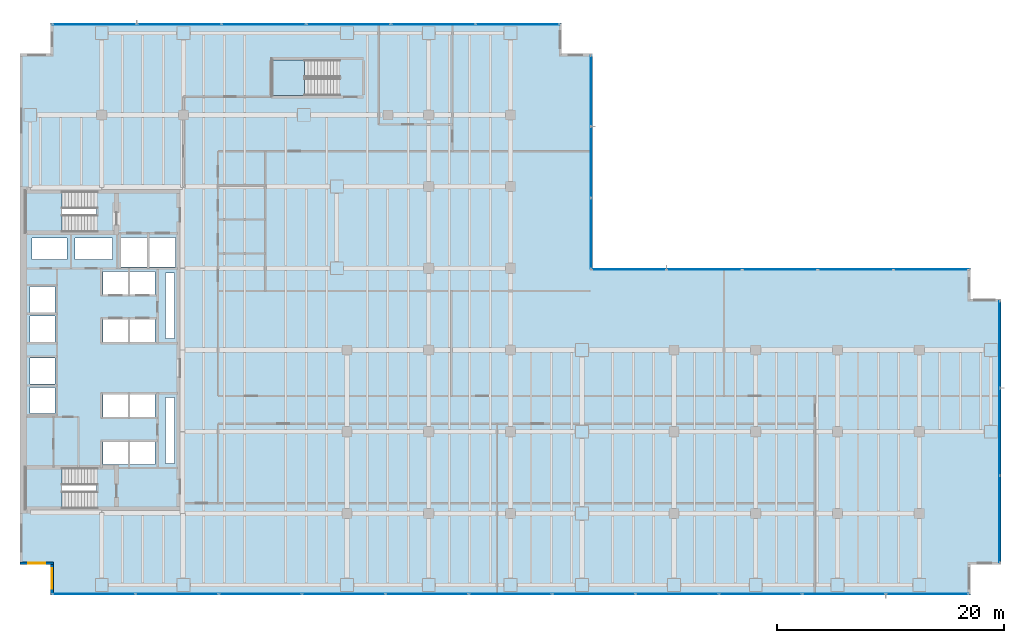
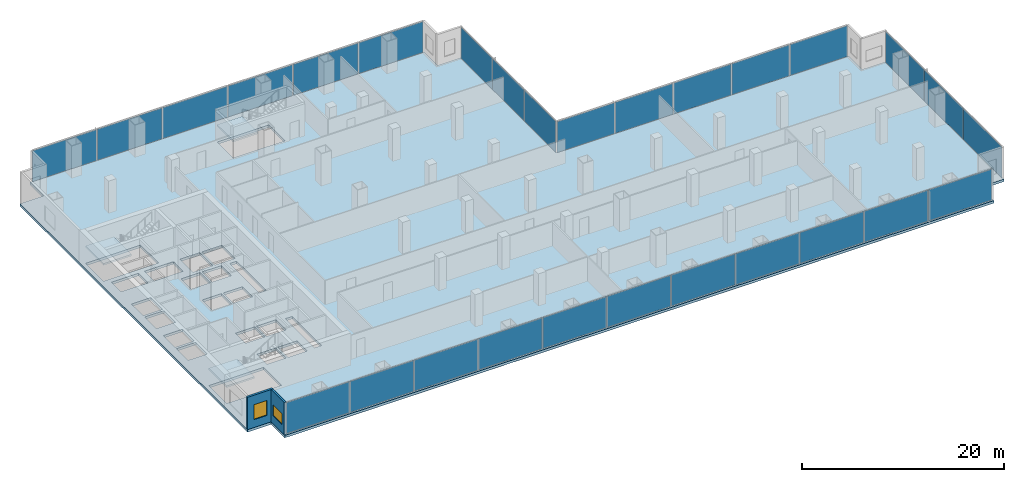
# One storey, part 21 of 31: 28 plates, 4 slabs, 2 walls, 2 windows, 23 openings, 8 elements without a shape of their own.
"""IFC4 building model written with IfcOpenShell, lengths in metres."""

from ifc_helpers import new_model, si_unit, direction, frame, frame_2d, origin, origin_2d, place, context, subcontext, project, spatial, polyline, rectangle, outline, extrude, material, layer, layer_set, type_object, element, fill, aggregate, save


model = new_model("IFC4")

# Units and contexts
model_context = context("Model", 3, precision=1e-05, world=origin(), true_north=direction((0.0, 1.0)))
body_context = subcontext(model_context, "Body", "Model", "MODEL_VIEW")
ifc_project = project(units=[si_unit("LENGTHUNIT", "METRE"), si_unit("AREAUNIT", "SQUARE_METRE"), si_unit("VOLUMEUNIT", "CUBIC_METRE"), si_unit("PLANEANGLEUNIT", "RADIAN"), si_unit("MASSUNIT", "GRAM", prefix="KILO")], contexts=[model_context])

# Site, building, storey
site_placement = place(None, origin())
site = spatial("IfcSite", under=ifc_project, at=site_placement, CompositionType="ELEMENT")
building_placement = place(site_placement, origin())
building = spatial("IfcBuilding", under=site, at=building_placement, Name="Cobrela Telecom Tower", CompositionType="ELEMENT")
storey_placement = place(building_placement, frame((0.0, 0.0, 9.449951171875)))
storey = spatial("IfcBuildingStorey", under=building, at=storey_placement, Name="L02", CompositionType="ELEMENT", Elevation=9.449951171875)

# Curtain wall, plates
ifc_material_1 = material(Name="Anodized Bronze Aluminium 6063-T6", Category="aluminium")
curtain_wall_type = type_object("IfcCurtainWallType", Name="CW-SYS-CONC", PredefinedType="USERDEFINED", material=ifc_material_1)
curtain_wall_1_placement = place(storey_placement, origin())
curtain_wall_1 = element("IfcCurtainWall", 1, at=curtain_wall_1_placement, inside=storey, type_object=curtain_wall_type, Name="L02 Unitised Bronze Curtain Wall 07", ObjectType="UNITISED CURTAIN WALL", PredefinedType="USERDEFINED")
ifc_material_2 = material(Name="Solar-Control Bronze Low-E Glass", Category="glass")
ifc_layer_1 = layer(ifc_material_2, 0.0419921875)
ifc_layer_set_1 = layer_set([ifc_layer_1], Name="Solar-Control Bronze Low-E Glass")
plate_type = type_object("IfcPlateType", Name="CW-SYS-CONC-PNL", PredefinedType="CURTAIN_PANEL", material=ifc_layer_set_1)
plate_1_placement = place(storey_placement, frame((6.570068359375, 50.280029296875, 0.080078125), z_axis=(0.0, 0.0, 1.0), x_axis=(1.0, 0.0, 0.0)))
plate_1 = element("IfcPlate", 2, at=plate_1_placement, type_object=plate_type, Name="CW-CONC panel 1.1", PredefinedType="CURTAIN_PANEL", context=body_context, shape_type="SweptSolid", body=[
    extrude(rectangle(XDim=7.340087890625, YDim=0.0419921875, at=origin_2d()), origin(), (0.0, 0.0, 1.0), 3.739990234375),
])
plate_2_placement = place(storey_placement, frame((14.010009765625, 50.280029296875, 0.080078125), z_axis=(0.0, 0.0, 1.0), x_axis=(1.0, 0.0, 0.0)))
plate_2 = element("IfcPlate", 3, at=plate_2_placement, type_object=plate_type, Name="CW-CONC panel 2.1", PredefinedType="CURTAIN_PANEL", context=body_context, shape_type="SweptSolid", body=[
    extrude(rectangle(XDim=7.3798828125, YDim=0.0419921875, at=origin_2d()), origin(), (0.0, 0.0, 1.0), 3.739990234375),
])
plate_3_placement = place(storey_placement, frame((21.469970703125, 50.280029296875, 0.080078125), z_axis=(0.0, 0.0, 1.0), x_axis=(1.0, 0.0, 0.0)))
plate_3 = element("IfcPlate", 4, at=plate_3_placement, type_object=plate_type, Name="CW-CONC panel 3.1", PredefinedType="CURTAIN_PANEL", context=body_context, shape_type="SweptSolid", body=[
    extrude(rectangle(XDim=7.3798828125, YDim=0.0419921875, at=origin_2d()), origin(), (0.0, 0.0, 1.0), 3.739990234375),
])
plate_4_placement = place(storey_placement, frame((28.929931640625, 50.280029296875, 0.080078125), z_axis=(0.0, 0.0, 1.0), x_axis=(1.0, 0.0, 0.0)))
plate_4 = element("IfcPlate", 5, at=plate_4_placement, type_object=plate_type, Name="CW-CONC panel 4.1", PredefinedType="CURTAIN_PANEL", context=body_context, shape_type="SweptSolid", body=[
    extrude(rectangle(XDim=7.3798828125, YDim=0.0419921875, at=origin_2d()), origin(), (0.0, 0.0, 1.0), 3.739990234375),
])
plate_5_placement = place(storey_placement, frame((36.389892578125, 50.280029296875, 0.080078125), z_axis=(0.0, 0.0, 1.0), x_axis=(1.0, 0.0, 0.0)))
plate_5 = element("IfcPlate", 6, at=plate_5_placement, type_object=plate_type, Name="CW-CONC panel 5.1", PredefinedType="CURTAIN_PANEL", context=body_context, shape_type="SweptSolid", body=[
    extrude(rectangle(XDim=7.3798828125, YDim=0.0419921875, at=origin_2d()), origin(), (0.0, 0.0, 1.0), 3.739990234375),
])
plate_6_placement = place(storey_placement, frame((43.830078125, 50.280029296875, 0.080078125), z_axis=(0.0, 0.0, 1.0), x_axis=(1.0, 0.0, 0.0)))
plate_6 = element("IfcPlate", 7, at=plate_6_placement, type_object=plate_type, Name="CW-CONC panel 6.1", PredefinedType="CURTAIN_PANEL", context=body_context, shape_type="SweptSolid", body=[
    extrude(rectangle(XDim=7.340087890625, YDim=0.0419921875, at=origin_2d()), origin(), (0.0, 0.0, 1.0), 3.739990234375),
])
aggregate(curtain_wall_1, [plate_1, plate_2, plate_3, plate_4, plate_5, plate_6])

curtain_wall_2_placement = place(storey_placement, origin())
curtain_wall_2 = element("IfcCurtainWall", 8, at=curtain_wall_2_placement, inside=storey, type_object=curtain_wall_type, Name="L02 Unitised Bronze Curtain Wall 10", ObjectType="UNITISED CURTAIN WALL", PredefinedType="USERDEFINED")
plate_7_placement = place(storey_placement, frame((50.280029296875, 44.409912109375, 0.080078125), z_axis=(0.0, 0.0, 1.0), x_axis=(0.0, -1.0, 0.0)))
plate_7 = element("IfcPlate", 9, at=plate_7_placement, type_object=plate_type, Name="CW-CONC panel 1.1", PredefinedType="CURTAIN_PANEL", context=body_context, shape_type="SweptSolid", body=[
    extrude(rectangle(XDim=6.179931640625, YDim=0.0419921875, at=origin_2d()), origin(), (0.0, 0.0, 1.0), 3.739990234375),
])
plate_8_placement = place(storey_placement, frame((50.280029296875, 38.1298828125, 0.080078125), z_axis=(0.0, 0.0, 1.0), x_axis=(0.0, -1.0, 0.0)))
plate_8 = element("IfcPlate", 10, at=plate_8_placement, type_object=plate_type, Name="CW-CONC panel 2.1", PredefinedType="CURTAIN_PANEL", context=body_context, shape_type="SweptSolid", body=[
    extrude(rectangle(XDim=6.219970703125, YDim=0.0419921875, at=origin_2d()), origin(), (0.0, 0.0, 1.0), 3.739990234375),
])
plate_9_placement = place(storey_placement, frame((50.280029296875, 31.85009765625, 0.080078125), z_axis=(0.0, 0.0, 1.0), x_axis=(0.0, -1.0, 0.0)))
plate_9 = element("IfcPlate", 11, at=plate_9_placement, type_object=plate_type, Name="CW-CONC panel 3.1", PredefinedType="CURTAIN_PANEL", context=body_context, shape_type="SweptSolid", body=[
    extrude(rectangle(XDim=6.179931640625, YDim=0.0419921875, at=origin_2d()), origin(), (0.0, 0.0, 1.0), 3.739990234375),
])
aggregate(curtain_wall_2, [plate_7, plate_8, plate_9])

curtain_wall_3_placement = place(storey_placement, origin())
curtain_wall_3 = element("IfcCurtainWall", 12, at=curtain_wall_3_placement, inside=storey, type_object=curtain_wall_type, Name="L02 Unitised Bronze Curtain Wall 11", ObjectType="UNITISED CURTAIN WALL", PredefinedType="USERDEFINED")
plate_10_placement = place(storey_placement, frame((53.6298828125, 28.679931640625, 0.080078125), z_axis=(0.0, 0.0, 1.0), x_axis=(1.0, 0.0, 0.0)))
plate_10 = element("IfcPlate", 13, at=plate_10_placement, type_object=plate_type, Name="CW-CONC panel 1.1", PredefinedType="CURTAIN_PANEL", context=body_context, shape_type="SweptSolid", body=[
    extrude(rectangle(XDim=6.5400390625, YDim=0.0419921875, at=origin_2d()), origin(), (0.0, 0.0, 1.0), 3.739990234375),
])
plate_11_placement = place(storey_placement, frame((60.27001953125, 28.679931640625, 0.080078125), z_axis=(0.0, 0.0, 1.0), x_axis=(1.0, 0.0, 0.0)))
plate_11 = element("IfcPlate", 14, at=plate_11_placement, type_object=plate_type, Name="CW-CONC panel 2.1", PredefinedType="CURTAIN_PANEL", context=body_context, shape_type="SweptSolid", body=[
    extrude(rectangle(XDim=6.580078125, YDim=0.0419921875, at=origin_2d()), origin(), (0.0, 0.0, 1.0), 3.739990234375),
])
plate_12_placement = place(storey_placement, frame((66.929931640625, 28.679931640625, 0.080078125), z_axis=(0.0, 0.0, 1.0), x_axis=(1.0, 0.0, 0.0)))
plate_12 = element("IfcPlate", 15, at=plate_12_placement, type_object=plate_type, Name="CW-CONC panel 3.1", PredefinedType="CURTAIN_PANEL", context=body_context, shape_type="SweptSolid", body=[
    extrude(rectangle(XDim=6.580078125, YDim=0.0419921875, at=origin_2d()), origin(), (0.0, 0.0, 1.0), 3.739990234375),
])
plate_13_placement = place(storey_placement, frame((73.590087890625, 28.679931640625, 0.080078125), z_axis=(0.0, 0.0, 1.0), x_axis=(1.0, 0.0, 0.0)))
plate_13 = element("IfcPlate", 16, at=plate_13_placement, type_object=plate_type, Name="CW-CONC panel 4.1", PredefinedType="CURTAIN_PANEL", context=body_context, shape_type="SweptSolid", body=[
    extrude(rectangle(XDim=6.580078125, YDim=0.0419921875, at=origin_2d()), origin(), (0.0, 0.0, 1.0), 3.739990234375),
])
plate_14_placement = place(storey_placement, frame((80.22998046875, 28.679931640625, 0.080078125), z_axis=(0.0, 0.0, 1.0), x_axis=(1.0, 0.0, 0.0)))
plate_14 = element("IfcPlate", 17, at=plate_14_placement, type_object=plate_type, Name="CW-CONC panel 5.1", PredefinedType="CURTAIN_PANEL", context=body_context, shape_type="SweptSolid", body=[
    extrude(rectangle(XDim=6.5400390625, YDim=0.0419921875, at=origin_2d()), origin(), (0.0, 0.0, 1.0), 3.739990234375),
])
aggregate(curtain_wall_3, [plate_10, plate_11, plate_12, plate_13, plate_14])

curtain_wall_4_placement = place(storey_placement, origin())
curtain_wall_4 = element("IfcCurtainWall", 18, at=curtain_wall_4_placement, inside=storey, type_object=curtain_wall_type, Name="L02 Unitised Bronze Curtain Wall 14", ObjectType="UNITISED CURTAIN WALL", PredefinedType="USERDEFINED")
plate_15_placement = place(storey_placement, frame((86.280029296875, 22.10009765625, 0.080078125), z_axis=(0.0, 0.0, 1.0), x_axis=(0.0, -1.0, 0.0)))
plate_15 = element("IfcPlate", 19, at=plate_15_placement, type_object=plate_type, Name="CW-CONC panel 1.1", PredefinedType="CURTAIN_PANEL", context=body_context, shape_type="SweptSolid", body=[
    extrude(rectangle(XDim=7.60009765625, YDim=0.0419921875, at=origin_2d()), origin(), (0.0, 0.0, 1.0), 3.739990234375),
])
plate_16_placement = place(storey_placement, frame((86.280029296875, 14.39990234375, 0.080078125), z_axis=(0.0, 0.0, 1.0), x_axis=(0.0, -1.0, 0.0)))
plate_16 = element("IfcPlate", 20, at=plate_16_placement, type_object=plate_type, Name="CW-CONC panel 2.1", PredefinedType="CURTAIN_PANEL", context=body_context, shape_type="SweptSolid", body=[
    extrude(rectangle(XDim=7.639892578125, YDim=0.0419921875, at=origin_2d()), origin(), (0.0, 0.0, 1.0), 3.739990234375),
])
plate_17_placement = place(storey_placement, frame((86.280029296875, 6.699951171875, 0.080078125), z_axis=(0.0, 0.0, 1.0), x_axis=(0.0, -1.0, 0.0)))
plate_17 = element("IfcPlate", 21, at=plate_17_placement, type_object=plate_type, Name="CW-CONC panel 3.1", PredefinedType="CURTAIN_PANEL", context=body_context, shape_type="SweptSolid", body=[
    extrude(rectangle(XDim=7.60009765625, YDim=0.0419921875, at=origin_2d()), origin(), (0.0, 0.0, 1.0), 3.739990234375),
])
aggregate(curtain_wall_4, [plate_15, plate_16, plate_17])

curtain_wall_5_placement = place(storey_placement, origin())
curtain_wall_5 = element("IfcCurtainWall", 22, at=curtain_wall_5_placement, inside=storey, type_object=curtain_wall_type, Name="L02 Unitised Bronze Curtain Wall 17", ObjectType="UNITISED CURTAIN WALL", PredefinedType="USERDEFINED")
plate_18_placement = place(storey_placement, frame((79.88916015625, 0.1201171875, 0.080078125), z_axis=(0.0, 0.0, 1.0), x_axis=(-1.0, 0.0, 0.0)))
plate_18 = element("IfcPlate", 23, at=plate_18_placement, type_object=plate_type, Name="CW-CONC panel 1.1", PredefinedType="CURTAIN_PANEL", context=body_context, shape_type="SweptSolid", body=[
    extrude(rectangle(XDim=7.221923828125, YDim=0.0419921875, at=origin_2d()), origin(), (0.0, 0.0, 1.0), 3.739990234375),
])
plate_19_placement = place(storey_placement, frame((72.5673828125, 0.1201171875, 0.080078125), z_axis=(0.0, 0.0, 1.0), x_axis=(-1.0, 0.0, 0.0)))
plate_19 = element("IfcPlate", 24, at=plate_19_placement, type_object=plate_type, Name="CW-CONC panel 2.1", PredefinedType="CURTAIN_PANEL", context=body_context, shape_type="SweptSolid", body=[
    extrude(rectangle(XDim=7.26171875, YDim=0.0419921875, at=origin_2d()), origin(), (0.0, 0.0, 1.0), 3.739990234375),
])
plate_20_placement = place(storey_placement, frame((65.225341796875, 0.1201171875, 0.080078125), z_axis=(0.0, 0.0, 1.0), x_axis=(-1.0, 0.0, 0.0)))
plate_20 = element("IfcPlate", 25, at=plate_20_placement, type_object=plate_type, Name="CW-CONC panel 3.1", PredefinedType="CURTAIN_PANEL", context=body_context, shape_type="SweptSolid", body=[
    extrude(rectangle(XDim=7.26171875, YDim=0.0419921875, at=origin_2d()), origin(), (0.0, 0.0, 1.0), 3.739990234375),
])
plate_21_placement = place(storey_placement, frame((57.883544921875, 0.1201171875, 0.080078125), z_axis=(0.0, 0.0, 1.0), x_axis=(-1.0, 0.0, 0.0)))
plate_21 = element("IfcPlate", 26, at=plate_21_placement, type_object=plate_type, Name="CW-CONC panel 4.1", PredefinedType="CURTAIN_PANEL", context=body_context, shape_type="SweptSolid", body=[
    extrude(rectangle(XDim=7.26171875, YDim=0.0419921875, at=origin_2d()), origin(), (0.0, 0.0, 1.0), 3.739990234375),
])
plate_22_placement = place(storey_placement, frame((50.541748046875, 0.1201171875, 0.080078125), z_axis=(0.0, 0.0, 1.0), x_axis=(-1.0, 0.0, 0.0)))
plate_22 = element("IfcPlate", 27, at=plate_22_placement, type_object=plate_type, Name="CW-CONC panel 5.1", PredefinedType="CURTAIN_PANEL", context=body_context, shape_type="SweptSolid", body=[
    extrude(rectangle(XDim=7.26171875, YDim=0.0419921875, at=origin_2d()), origin(), (0.0, 0.0, 1.0), 3.739990234375),
])
plate_23_placement = place(storey_placement, frame((43.199951171875, 0.1201171875, 0.080078125), z_axis=(0.0, 0.0, 1.0), x_axis=(-1.0, 0.0, 0.0)))
plate_23 = element("IfcPlate", 28, at=plate_23_placement, type_object=plate_type, Name="CW-CONC panel 6.1", PredefinedType="CURTAIN_PANEL", context=body_context, shape_type="SweptSolid", body=[
    extrude(rectangle(XDim=7.26171875, YDim=0.0419921875, at=origin_2d()), origin(), (0.0, 0.0, 1.0), 3.739990234375),
])
plate_24_placement = place(storey_placement, frame((35.858154296875, 0.1201171875, 0.080078125), z_axis=(0.0, 0.0, 1.0), x_axis=(-1.0, 0.0, 0.0)))
plate_24 = element("IfcPlate", 29, at=plate_24_placement, type_object=plate_type, Name="CW-CONC panel 7.1", PredefinedType="CURTAIN_PANEL", context=body_context, shape_type="SweptSolid", body=[
    extrude(rectangle(XDim=7.26171875, YDim=0.0419921875, at=origin_2d()), origin(), (0.0, 0.0, 1.0), 3.739990234375),
])
plate_25_placement = place(storey_placement, frame((28.516357421875, 0.1201171875, 0.080078125), z_axis=(0.0, 0.0, 1.0), x_axis=(-1.0, 0.0, 0.0)))
plate_25 = element("IfcPlate", 30, at=plate_25_placement, type_object=plate_type, Name="CW-CONC panel 8.1", PredefinedType="CURTAIN_PANEL", context=body_context, shape_type="SweptSolid", body=[
    extrude(rectangle(XDim=7.26171875, YDim=0.0419921875, at=origin_2d()), origin(), (0.0, 0.0, 1.0), 3.739990234375),
])
plate_26_placement = place(storey_placement, frame((21.174560546875, 0.1201171875, 0.080078125), z_axis=(0.0, 0.0, 1.0), x_axis=(-1.0, 0.0, 0.0)))
plate_26 = element("IfcPlate", 31, at=plate_26_placement, type_object=plate_type, Name="CW-CONC panel 9.1", PredefinedType="CURTAIN_PANEL", context=body_context, shape_type="SweptSolid", body=[
    extrude(rectangle(XDim=7.26171875, YDim=0.0419921875, at=origin_2d()), origin(), (0.0, 0.0, 1.0), 3.739990234375),
])
plate_27_placement = place(storey_placement, frame((13.832763671875, 0.1201171875, 0.080078125), z_axis=(0.0, 0.0, 1.0), x_axis=(-1.0, 0.0, 0.0)))
plate_27 = element("IfcPlate", 32, at=plate_27_placement, type_object=plate_type, Name="CW-CONC panel 10.1", PredefinedType="CURTAIN_PANEL", context=body_context, shape_type="SweptSolid", body=[
    extrude(rectangle(XDim=7.26171875, YDim=0.0419921875, at=origin_2d()), origin(), (0.0, 0.0, 1.0), 3.739990234375),
])
plate_28_placement = place(storey_placement, frame((6.510986328125, 0.1201171875, 0.080078125), z_axis=(0.0, 0.0, 1.0), x_axis=(-1.0, 0.0, 0.0)))
plate_28 = element("IfcPlate", 33, at=plate_28_placement, type_object=plate_type, Name="CW-CONC panel 11.1", PredefinedType="CURTAIN_PANEL", context=body_context, shape_type="SweptSolid", body=[
    extrude(rectangle(XDim=7.221923828125, YDim=0.0419921875, at=origin_2d()), origin(), (0.0, 0.0, 1.0), 3.739990234375),
])
aggregate(curtain_wall_5, [plate_18, plate_19, plate_20, plate_21, plate_22, plate_23, plate_24, plate_25, plate_26, plate_27, plate_28])

# Slab, openings
ifc_material_3 = material(Name="Concrete C40/50", Category="concrete")
ifc_layer_2 = layer(ifc_material_3, 0.300048828125)
ifc_layer_set_2 = layer_set([ifc_layer_2], Name="Concrete C40/50")
slab_type_1 = type_object("IfcSlabType", Name="SLAB-FLR-300", PredefinedType="FLOOR", material=ifc_layer_set_2)
slab_1_placement = place(storey_placement, frame((0.0, 0.0, -0.300048828125)))
slab_1 = element("IfcSlab", 34, at=slab_1_placement, inside=storey, type_object=slab_type_1, Name="L02 Structural Floor Slab", PredefinedType="FLOOR", context=body_context, shape_type="SweptSolid", body=[
    extrude(outline(polyline([(2.699951171875, 0.0), (83.699951171875, 0.0), (83.699951171875, 2.699951171875), (86.39990234375, 2.699951171875), (86.39990234375, 26.10009765625), (83.699951171875, 26.10009765625), (83.699951171875, 28.800048828125), (50.39990234375, 28.800048828125), (50.39990234375, 47.699951171875), (47.699951171875, 47.699951171875), (47.699951171875, 50.39990234375), (2.699951171875, 50.39990234375), (2.699951171875, 47.699951171875), (0.0, 47.699951171875), (0.0, 2.699951171875), (2.699951171875, 2.699951171875), (2.699951171875, 0.0)])), origin(), (0.0, 0.0, 1.0), 0.300048828125),
])
opening_1_placement = place(slab_1_placement, frame((0.0, 0.0, -0.02001953125)))
element("IfcOpeningElement", 35, at=opening_1_placement, cuts=slab_1, Name="Slab Shaft Opening SLAB-L02-MAIN.1", PredefinedType="OPENING", context=body_context, shape_type="SweptSolid", body=[
    extrude(outline(polyline([(8.89990234375, 28.89990234375), (11.199951171875, 28.89990234375), (11.199951171875, 31.5), (8.89990234375, 31.5), (8.89990234375, 28.89990234375)])), origin(), (0.0, 0.0, 1.0), 0.340087890625),
])
opening_2_placement = place(slab_1_placement, frame((0.0, 0.0, -0.02001953125)))
element("IfcOpeningElement", 36, at=opening_2_placement, cuts=slab_1, Name="Slab Shaft Opening SLAB-L02-MAIN.2", PredefinedType="OPENING", context=body_context, shape_type="SweptSolid", body=[
    extrude(outline(polyline([(11.39990234375, 28.89990234375), (13.699951171875, 28.89990234375), (13.699951171875, 31.5), (11.39990234375, 31.5), (11.39990234375, 28.89990234375)])), origin(), (0.0, 0.0, 1.0), 0.340087890625),
])
opening_3_placement = place(slab_1_placement, frame((0.0, 0.0, -0.02001953125)))
element("IfcOpeningElement", 37, at=opening_3_placement, cuts=slab_1, Name="Slab Shaft Opening SLAB-L02-MAIN.3", PredefinedType="OPENING", context=body_context, shape_type="SweptSolid", body=[
    extrude(outline(polyline([(7.300048828125, 22.300048828125), (9.5, 22.300048828125), (9.5, 24.300048828125), (7.300048828125, 24.300048828125), (7.300048828125, 22.300048828125)])), origin(), (0.0, 0.0, 1.0), 0.340087890625),
])
opening_4_placement = place(slab_1_placement, frame((0.0, 0.0, -0.02001953125)))
element("IfcOpeningElement", 38, at=opening_4_placement, cuts=slab_1, Name="Slab Shaft Opening SLAB-L02-MAIN.4", PredefinedType="OPENING", context=body_context, shape_type="SweptSolid", body=[
    extrude(outline(polyline([(9.699951171875, 22.300048828125), (11.89990234375, 22.300048828125), (11.89990234375, 24.300048828125), (9.699951171875, 24.300048828125), (9.699951171875, 22.300048828125)])), origin(), (0.0, 0.0, 1.0), 0.340087890625),
])
opening_5_placement = place(slab_1_placement, frame((0.0, 0.0, -0.02001953125)))
element("IfcOpeningElement", 39, at=opening_5_placement, cuts=slab_1, Name="Slab Shaft Opening SLAB-L02-MAIN.5", PredefinedType="OPENING", context=body_context, shape_type="SweptSolid", body=[
    extrude(outline(polyline([(7.300048828125, 26.5), (9.5, 26.5), (9.5, 28.5), (7.300048828125, 28.5), (7.300048828125, 26.5)])), origin(), (0.0, 0.0, 1.0), 0.340087890625),
])
opening_6_placement = place(slab_1_placement, frame((0.0, 0.0, -0.02001953125)))
element("IfcOpeningElement", 40, at=opening_6_placement, cuts=slab_1, Name="Slab Shaft Opening SLAB-L02-MAIN.6", PredefinedType="OPENING", context=body_context, shape_type="SweptSolid", body=[
    extrude(outline(polyline([(9.699951171875, 26.5), (11.89990234375, 26.5), (11.89990234375, 28.5), (9.699951171875, 28.5), (9.699951171875, 26.5)])), origin(), (0.0, 0.0, 1.0), 0.340087890625),
])
opening_7_placement = place(slab_1_placement, frame((0.0, 0.0, -0.02001953125)))
element("IfcOpeningElement", 41, at=opening_7_placement, cuts=slab_1, Name="Slab Shaft Opening SLAB-L02-MAIN.7", PredefinedType="OPENING", context=body_context, shape_type="SweptSolid", body=[
    extrude(outline(polyline([(7.300048828125, 15.699951171875), (9.5, 15.699951171875), (9.5, 17.699951171875), (7.300048828125, 17.699951171875), (7.300048828125, 15.699951171875)])), origin(), (0.0, 0.0, 1.0), 0.340087890625),
])
opening_8_placement = place(slab_1_placement, frame((0.0, 0.0, -0.02001953125)))
element("IfcOpeningElement", 42, at=opening_8_placement, cuts=slab_1, Name="Slab Shaft Opening SLAB-L02-MAIN.8", PredefinedType="OPENING", context=body_context, shape_type="SweptSolid", body=[
    extrude(outline(polyline([(9.699951171875, 15.699951171875), (11.89990234375, 15.699951171875), (11.89990234375, 17.699951171875), (9.699951171875, 17.699951171875), (9.699951171875, 15.699951171875)])), origin(), (0.0, 0.0, 1.0), 0.340087890625),
])
opening_9_placement = place(slab_1_placement, frame((0.0, 0.0, -0.02001953125)))
element("IfcOpeningElement", 43, at=opening_9_placement, cuts=slab_1, Name="Slab Shaft Opening SLAB-L02-MAIN.9", PredefinedType="OPENING", context=body_context, shape_type="SweptSolid", body=[
    extrude(outline(polyline([(7.300048828125, 11.5), (9.5, 11.5), (9.5, 13.5), (7.300048828125, 13.5), (7.300048828125, 11.5)])), origin(), (0.0, 0.0, 1.0), 0.340087890625),
])
opening_10_placement = place(slab_1_placement, frame((0.0, 0.0, -0.02001953125)))
element("IfcOpeningElement", 44, at=opening_10_placement, cuts=slab_1, Name="Slab Shaft Opening SLAB-L02-MAIN.10", PredefinedType="OPENING", context=body_context, shape_type="SweptSolid", body=[
    extrude(outline(polyline([(9.699951171875, 11.5), (11.89990234375, 11.5), (11.89990234375, 13.5), (9.699951171875, 13.5), (9.699951171875, 11.5)])), origin(), (0.0, 0.0, 1.0), 0.340087890625),
])
opening_11_placement = place(slab_1_placement, frame((0.0, 0.0, -0.02001953125)))
element("IfcOpeningElement", 45, at=opening_11_placement, cuts=slab_1, Name="Slab Shaft Opening SLAB-L02-MAIN.11", PredefinedType="OPENING", context=body_context, shape_type="SweptSolid", body=[
    extrude(outline(polyline([(0.89990234375, 16.0), (3.10009765625, 16.0), (3.10009765625, 18.300048828125), (0.89990234375, 18.300048828125), (0.89990234375, 16.0)])), origin(), (0.0, 0.0, 1.0), 0.340087890625),
])
opening_12_placement = place(slab_1_placement, frame((0.0, 0.0, -0.02001953125)))
element("IfcOpeningElement", 46, at=opening_12_placement, cuts=slab_1, Name="Slab Shaft Opening SLAB-L02-MAIN.12", PredefinedType="OPENING", context=body_context, shape_type="SweptSolid", body=[
    extrude(outline(polyline([(0.89990234375, 18.60009765625), (3.10009765625, 18.60009765625), (3.10009765625, 20.89990234375), (0.89990234375, 20.89990234375), (0.89990234375, 18.60009765625)])), origin(), (0.0, 0.0, 1.0), 0.340087890625),
])
opening_13_placement = place(slab_1_placement, frame((0.0, 0.0, -0.02001953125)))
element("IfcOpeningElement", 47, at=opening_13_placement, cuts=slab_1, Name="Slab Shaft Opening SLAB-L02-MAIN.13", PredefinedType="OPENING", context=body_context, shape_type="SweptSolid", body=[
    extrude(outline(polyline([(0.89990234375, 22.300048828125), (3.10009765625, 22.300048828125), (3.10009765625, 24.60009765625), (0.89990234375, 24.60009765625), (0.89990234375, 22.300048828125)])), origin(), (0.0, 0.0, 1.0), 0.340087890625),
])
opening_14_placement = place(slab_1_placement, frame((0.0, 0.0, -0.02001953125)))
element("IfcOpeningElement", 48, at=opening_14_placement, cuts=slab_1, Name="Slab Shaft Opening SLAB-L02-MAIN.14", PredefinedType="OPENING", context=body_context, shape_type="SweptSolid", body=[
    extrude(outline(polyline([(0.89990234375, 24.89990234375), (3.10009765625, 24.89990234375), (3.10009765625, 27.199951171875), (0.89990234375, 27.199951171875), (0.89990234375, 24.89990234375)])), origin(), (0.0, 0.0, 1.0), 0.340087890625),
])
opening_15_placement = place(slab_1_placement, frame((0.0, 0.0, -0.02001953125)))
element("IfcOpeningElement", 49, at=opening_15_placement, cuts=slab_1, Name="Slab Shaft Opening SLAB-L02-MAIN.15", PredefinedType="OPENING", context=body_context, shape_type="SweptSolid", body=[
    extrude(outline(polyline([(1.050048828125, 29.550048828125), (4.14990234375, 29.550048828125), (4.14990234375, 31.449951171875), (1.050048828125, 31.449951171875), (1.050048828125, 29.550048828125)])), origin(), (0.0, 0.0, 1.0), 0.340087890625),
])
opening_16_placement = place(slab_1_placement, frame((0.0, 0.0, -0.02001953125)))
element("IfcOpeningElement", 50, at=opening_16_placement, cuts=slab_1, Name="Slab Shaft Opening SLAB-L02-MAIN.16", PredefinedType="OPENING", context=body_context, shape_type="SweptSolid", body=[
    extrude(outline(polyline([(4.85009765625, 29.550048828125), (8.14990234375, 29.550048828125), (8.14990234375, 31.449951171875), (4.85009765625, 31.449951171875), (4.85009765625, 29.550048828125)])), origin(), (0.0, 0.0, 1.0), 0.340087890625),
])
opening_17_placement = place(slab_1_placement, frame((0.0, 0.0, -0.02001953125)))
element("IfcOpeningElement", 51, at=opening_17_placement, cuts=slab_1, Name="Slab Shaft Opening SLAB-L02-MAIN.17", PredefinedType="OPENING", context=body_context, shape_type="SweptSolid", body=[
    extrude(outline(polyline([(12.800048828125, 22.60009765625), (13.60009765625, 22.60009765625), (13.60009765625, 28.39990234375), (12.800048828125, 28.39990234375), (12.800048828125, 22.60009765625)])), origin(), (0.0, 0.0, 1.0), 0.340087890625),
])
opening_18_placement = place(slab_1_placement, frame((0.0, 0.0, -0.02001953125)))
element("IfcOpeningElement", 52, at=opening_18_placement, cuts=slab_1, Name="Slab Shaft Opening SLAB-L02-MAIN.18", PredefinedType="OPENING", context=body_context, shape_type="SweptSolid", body=[
    extrude(outline(polyline([(12.800048828125, 11.60009765625), (13.60009765625, 11.60009765625), (13.60009765625, 17.39990234375), (12.800048828125, 17.39990234375), (12.800048828125, 11.60009765625)])), origin(), (0.0, 0.0, 1.0), 0.340087890625),
])
opening_19_placement = place(slab_1_placement, frame((0.0, 0.0, -0.02001953125)))
element("IfcOpeningElement", 53, at=opening_19_placement, cuts=slab_1, Name="Slab Shaft Opening SLAB-L02-MAIN.19", PredefinedType="OPENING", context=body_context, shape_type="SweptSolid", body=[
    extrude(outline(polyline([(6.7548828125, 35.550048828125), (0.47998046875, 35.550048828125), (0.47998046875, 32.0), (6.7548828125, 32.0), (6.7548828125, 35.550048828125)])), origin(), (0.0, 0.0, 1.0), 0.340087890625),
])
opening_20_placement = place(slab_1_placement, frame((0.0, 0.0, -0.02001953125)))
element("IfcOpeningElement", 54, at=opening_20_placement, cuts=slab_1, Name="Slab Shaft Opening SLAB-L02-MAIN.20", PredefinedType="OPENING", context=body_context, shape_type="SweptSolid", body=[
    extrude(outline(polyline([(6.7548828125, 11.199951171875), (0.47998046875, 11.199951171875), (0.47998046875, 7.64990234375), (6.7548828125, 7.64990234375), (6.7548828125, 11.199951171875)])), origin(), (0.0, 0.0, 1.0), 0.340087890625),
])
opening_21_placement = place(slab_1_placement, frame((0.0, 0.0, -0.02001953125)))
element("IfcOpeningElement", 55, at=opening_21_placement, cuts=slab_1, Name="Slab Shaft Opening SLAB-L02-MAIN.21", PredefinedType="OPENING", context=body_context, shape_type="SweptSolid", body=[
    extrude(outline(polyline([(28.135009765625, 47.14990234375), (22.199951171875, 47.14990234375), (22.199951171875, 44.0), (28.135009765625, 44.0), (28.135009765625, 47.14990234375)])), origin(), (0.0, 0.0, 1.0), 0.340087890625),
])

# Stair, slab
stair_type = type_object("IfcStairType", Name="STAIR-CORE", PredefinedType="HALF_TURN_STAIR", material=ifc_material_3)
stair_1_placement = place(storey_placement, origin())
stair_1 = element("IfcStair", 56, at=stair_1_placement, inside=storey, type_object=stair_type, Name="L02 Smokeproof Exit Stair ST1", PredefinedType="HALF_TURN_STAIR")
ifc_layer_3 = layer(ifc_material_3, 0.199951171875)
ifc_layer_set_3 = layer_set([ifc_layer_3], Name="Concrete C40/50")
slab_type_2 = type_object("IfcSlabType", Name="SLAB-LAND-200", PredefinedType="LANDING", material=ifc_layer_set_3)
slab_2_placement = place(storey_placement, frame((0.0, 0.0, 1.900146484375)))
slab_2 = element("IfcSlab", 57, at=slab_2_placement, type_object=slab_type_2, Name="ST1 landing 1", PredefinedType="LANDING", context=body_context, shape_type="SweptSolid", body=[
    extrude(outline(polyline([(3.68505859375, 35.550048828125), (0.47998046875, 35.550048828125), (0.47998046875, 32.0), (3.68505859375, 32.0), (3.68505859375, 35.550048828125)])), origin(), (0.0, 0.0, 1.0), 0.199951171875),
])
aggregate(stair_1, [slab_2])

stair_2_placement = place(storey_placement, origin())
stair_2 = element("IfcStair", 58, at=stair_2_placement, inside=storey, type_object=stair_type, Name="L02 Smokeproof Exit Stair ST2", PredefinedType="HALF_TURN_STAIR")
slab_3_placement = place(storey_placement, frame((0.0, 0.0, 1.900146484375)))
slab_3 = element("IfcSlab", 59, at=slab_3_placement, type_object=slab_type_2, Name="ST2 landing 1", PredefinedType="LANDING", context=body_context, shape_type="SweptSolid", body=[
    extrude(outline(polyline([(3.68505859375, 11.199951171875), (0.47998046875, 11.199951171875), (0.47998046875, 7.64990234375), (3.68505859375, 7.64990234375), (3.68505859375, 11.199951171875)])), origin(), (0.0, 0.0, 1.0), 0.199951171875),
])
aggregate(stair_2, [slab_3])

stair_3_placement = place(storey_placement, origin())
stair_3 = element("IfcStair", 60, at=stair_3_placement, inside=storey, type_object=stair_type, Name="L02 Smokeproof Exit Stair ST3", PredefinedType="HALF_TURN_STAIR")
slab_4_placement = place(storey_placement, frame((0.0, 0.0, 1.900146484375)))
slab_4 = element("IfcSlab", 61, at=slab_4_placement, type_object=slab_type_2, Name="ST3 landing 1", PredefinedType="LANDING", context=body_context, shape_type="SweptSolid", body=[
    extrude(outline(polyline([(25.06494140625, 47.14990234375), (22.199951171875, 47.14990234375), (22.199951171875, 44.0), (25.06494140625, 44.0), (25.06494140625, 47.14990234375)])), origin(), (0.0, 0.0, 1.0), 0.199951171875),
])
aggregate(stair_3, [slab_4])

# Wall, opening, window
ifc_layer_4 = layer(ifc_material_3, 0.239990234375)
ifc_layer_set_4 = layer_set([ifc_layer_4], Name="Concrete C40/50")
wall_type = type_object("IfcWallType", Name="WALL-EXT-300", PredefinedType="STANDARD", material=ifc_layer_set_4)
wall_1_placement = place(storey_placement, frame((2.820068359375, 0.1201171875, 0.0), z_axis=(0.0, 0.0, 1.0), x_axis=(0.0, 1.0, 0.0)))
wall_1 = element("IfcWall", 62, at=wall_1_placement, inside=storey, type_object=wall_type, Name="L02 Insulated Facade Wall 01", PredefinedType="STANDARD", context=body_context, shape_type="SweptSolid", body=[
    extrude(rectangle(XDim=2.699951171875, YDim=0.239990234375, at=frame_2d((1.35009765625, 0.0))), origin(), (0.0, 0.0, 1.0), 3.900146484375),
])
opening_22_placement = place(wall_1_placement, frame((0.449951171875, 0.0, 0.949951171875)))
opening_22 = element("IfcOpeningElement", 63, at=opening_22_placement, cuts=wall_1, Name="Opening WN-27", PredefinedType="OPENING", context=body_context, shape_type="SweptSolid", body=[
    extrude(rectangle(XDim=1.800048828125, YDim=1.35009765625, at=frame_2d((0.89990234375, 0.675048828125))), frame((0.0, 0.1318359375, 0.0), z_axis=(0.0, -1.0, 0.0), x_axis=(1.0, 0.0, 0.0)), (0.0, 0.0, 1.0), 0.263916015625),
])
window_type_1 = type_object("IfcWindowType", Name="WIN-CLER-1800", PartitioningType="SINGLE_PANEL", PredefinedType="WINDOW", material=ifc_material_2)
window_1_placement = place(opening_22_placement, origin())
window_1 = element("IfcWindow", 64, at=window_1_placement, inside=storey, type_object=window_type_1, Name="L02 Corner Notch Facade Window 003", OverallHeight=1.35009765625, OverallWidth=1.800048828125, PartitioningType="SINGLE_PANEL", PredefinedType="WINDOW", context=body_context, shape_type="SweptSolid", body=[
    extrude(rectangle(XDim=1.800048828125, YDim=1.35009765625, at=frame_2d((0.89990234375, 0.675048828125))), frame((0.0, 0.030029296875, 0.0), z_axis=(0.0, -1.0, 0.0), x_axis=(1.0, 0.0, 0.0)), (0.0, 0.0, 1.0), 0.06005859375),
])
fill(opening_22, window_1)

wall_2_placement = place(storey_placement, frame((2.93994140625, 2.820068359375, 0.0), z_axis=(0.0, 0.0, 1.0), x_axis=(-1.0, 0.0, 0.0)))
wall_2 = element("IfcWall", 65, at=wall_2_placement, inside=storey, type_object=wall_type, Name="L02 Insulated Facade Wall 02", PredefinedType="STANDARD", context=body_context, shape_type="SweptSolid", body=[
    extrude(rectangle(XDim=2.93994140625, YDim=0.239990234375, at=frame_2d((1.469970703125, 0.0))), origin(), (0.0, 0.0, 1.0), 3.900146484375),
])
opening_23_placement = place(wall_2_placement, frame((0.719970703125, 0.0, 0.949951171875)))
opening_23 = element("IfcOpeningElement", 66, at=opening_23_placement, cuts=wall_2, Name="Opening WN-45", PredefinedType="OPENING", context=body_context, shape_type="SweptSolid", body=[
    extrude(rectangle(XDim=1.5, YDim=1.800048828125, at=frame_2d((0.75, 0.89990234375))), frame((0.0, 0.1318359375, 0.0), z_axis=(0.0, -1.0, 0.0), x_axis=(1.0, 0.0, 0.0)), (0.0, 0.0, 1.0), 0.263916015625),
])
window_type_2 = type_object("IfcWindowType", Name="WIN-MOD-1500", PartitioningType="SINGLE_PANEL", PredefinedType="WINDOW", material=ifc_material_2)
window_2_placement = place(opening_23_placement, origin())
window_2 = element("IfcWindow", 67, at=window_2_placement, inside=storey, type_object=window_type_2, Name="L02 Corner Notch Facade Window 004", OverallHeight=1.800048828125, OverallWidth=1.5, PartitioningType="SINGLE_PANEL", PredefinedType="WINDOW", context=body_context, shape_type="SweptSolid", body=[
    extrude(rectangle(XDim=1.5, YDim=1.800048828125, at=frame_2d((0.75, 0.89990234375))), frame((0.0, 0.030029296875, 0.0), z_axis=(0.0, -1.0, 0.0), x_axis=(1.0, 0.0, 0.0)), (0.0, 0.0, 1.0), 0.06005859375),
])
fill(opening_23, window_2)

save(model, "model.ifc")
